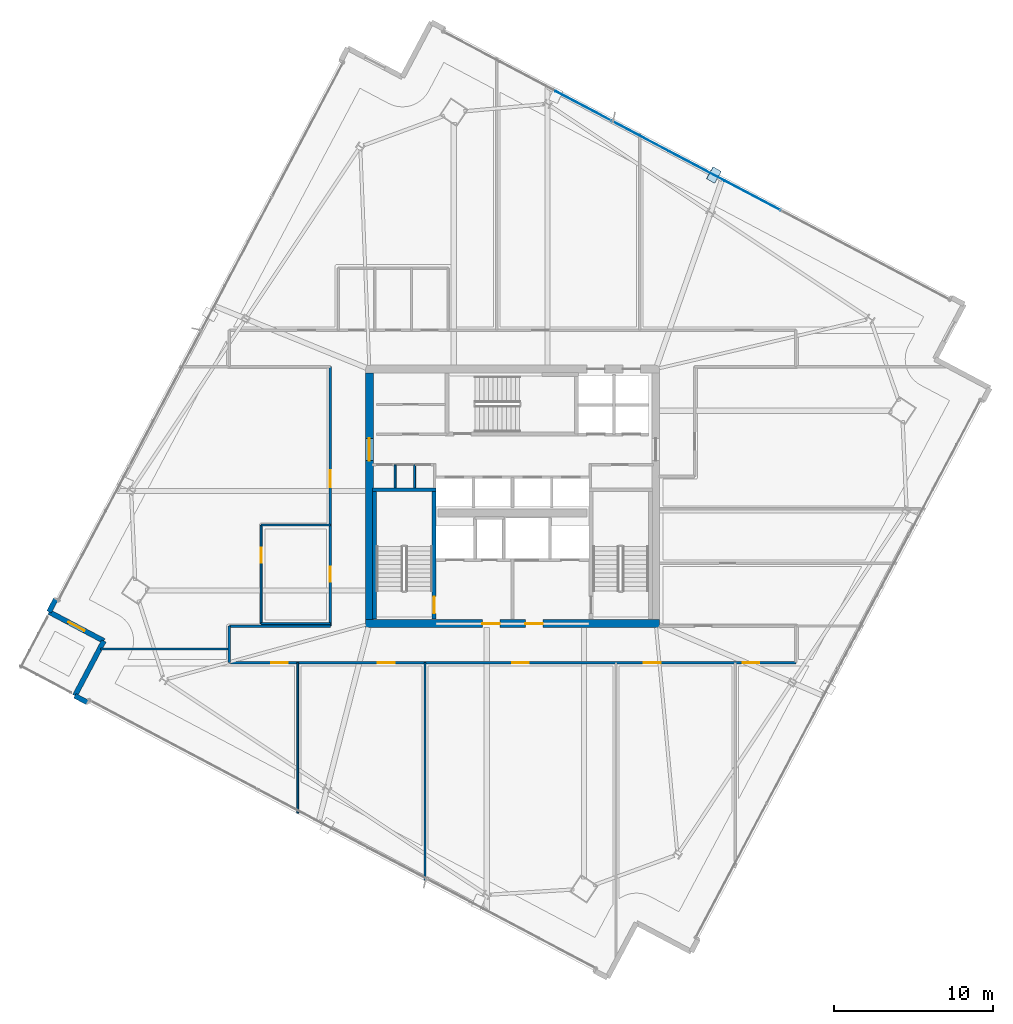
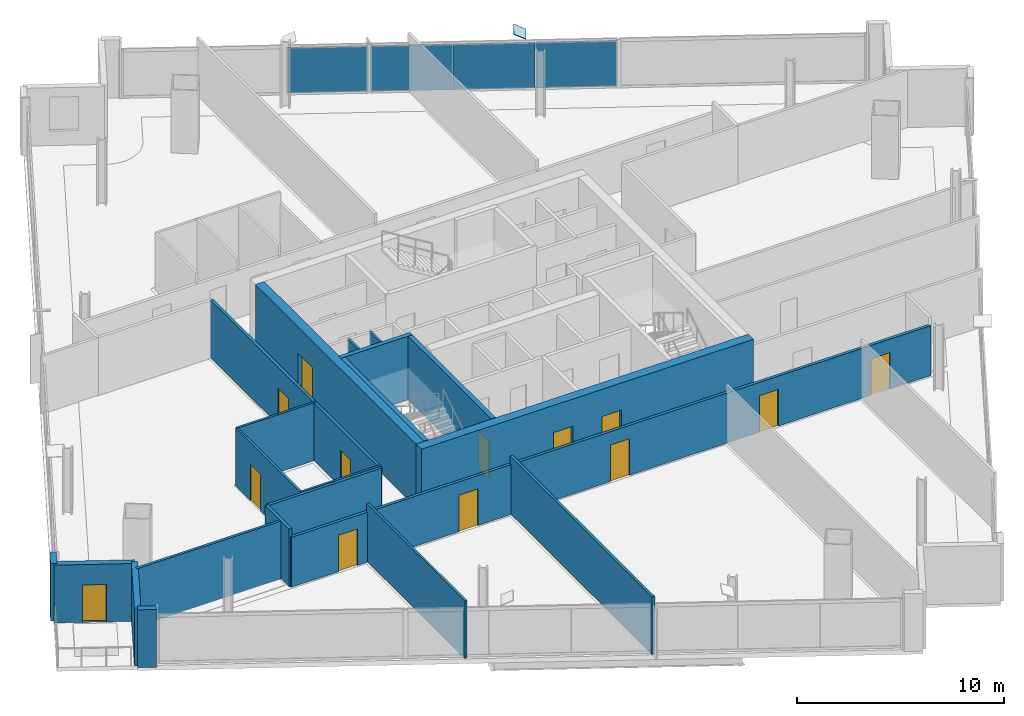
# One storey, part 20 of 28: 21 walls, 13 doors, 5 plates, 13 openings, 1 element without a shape of its own.
"""IFC4 building model written with IfcOpenShell, lengths in metres."""

from ifc_helpers import new_model, si_unit, direction, frame, frame_2d, origin, origin_2d, place, context, subcontext, project, spatial, rectangle, extrude, source, transform, mapped, material, layer, layer_set, type_object, element, fill, aggregate, save


model = new_model("IFC4")

# Units and contexts
model_context = context("Model", 3, precision=1e-05, world=origin(), true_north=direction((0.0, 1.0)))
body_context = subcontext(model_context, "Body", "Model", "MODEL_VIEW")
ifc_project = project(units=[si_unit("LENGTHUNIT", "METRE"), si_unit("AREAUNIT", "SQUARE_METRE"), si_unit("VOLUMEUNIT", "CUBIC_METRE"), si_unit("PLANEANGLEUNIT", "RADIAN"), si_unit("MASSUNIT", "GRAM", prefix="KILO")], contexts=[model_context])

# Site, building, storey
site_placement = place(None, origin())
site = spatial("IfcSite", under=ifc_project, at=site_placement, CompositionType="ELEMENT")
building_placement = place(site_placement, origin())
building = spatial("IfcBuilding", under=site, at=building_placement, Name="Haldenkirk Collegiate Tower", CompositionType="ELEMENT")
storey_placement = place(building_placement, frame((0.0, 0.0, 235.949951171875)))
storey = spatial("IfcBuildingStorey", under=building, at=storey_placement, Name="L59", CompositionType="ELEMENT", Elevation=235.949951171875)

# Plate
ifc_material_1 = material(Name="Steel ASTM A572 Grade 50", Category="steel")
ifc_layer_1 = layer(ifc_material_1, 0.034912109375)
ifc_layer_set_1 = layer_set([ifc_layer_1], Name="Steel ASTM A572 Grade 50")
plate_type_1 = type_object("IfcPlateType", Name="PLT-CAP-EXT-760X600", PredefinedType="USERDEFINED", material=ifc_layer_set_1)
shared_shape_1 = source(origin(), body_context, "Body", "SweptSolid", [
    extrude(rectangle(XDim=0.860107421875, YDim=0.659912109375, at=origin_2d()), origin(), (0.0, 0.0, 1.0), 0.034912109375),
])
plate_1_placement = place(storey_placement, frame((48.642333984375, 46.201904296875, 3.38720703125), z_axis=(0.396589053561, -0.222587030061, 0.890602120278), x_axis=(0.489434998126, 0.872039782699, 2.05074e-07)))
element("IfcPlate", 1, at=plate_1_placement, inside=storey, type_object=plate_type_1, Name="Perimeter Mega Brace Z4 L57-L59 EL end cap plate 2", ObjectType="END CAP PLATE", PredefinedType="USERDEFINED", context=body_context, shape_type="MappedRepresentation", body=[
    mapped(shared_shape_1, transform((0.0, 0.0, 0.0), x_axis=(1.0, 0.0, 0.0), y_axis=(0.0, 1.0, 0.0), z_axis=(0.0, 0.0, 1.0), scale=1.0)),
])

# Curtain wall, plates
ifc_material_2 = material(Name="Anodised architectural bronze aluminium", Category="aluminium")
curtain_wall_type = type_object("IfcCurtainWallType", Name="CW-SYS1B-CONVEX-HI", PredefinedType="USERDEFINED", material=ifc_material_2)
curtain_wall_placement = place(storey_placement, origin())
curtain_wall = element("IfcCurtainWall", 2, at=curtain_wall_placement, inside=storey, type_object=curtain_wall_type, Name="L59 Upper tower high-wind convex bronze unitised curtain wall", ObjectType="UNITISED CURTAIN WALL", PredefinedType="USERDEFINED")
ifc_material_3 = material(Name="Bronze-anodised insulated aluminium spandrel panel", Category="aluminium")
ifc_layer_2 = layer(ifc_material_3, 0.048095703125)
ifc_layer_set_2 = layer_set([ifc_layer_2], Name="Bronze-anodised insulated aluminium spandrel panel")
plate_type_2 = type_object("IfcPlateType", Name="CW-SPD-1B", PredefinedType="CURTAIN_PANEL", material=ifc_layer_set_2)
shared_shape_2 = source(origin(), body_context, "Body", "SweptSolid", [
    extrude(rectangle(XDim=3.953369140625, YDim=0.048095703125, at=origin_2d()), origin(), (0.0, 0.0, 1.0), 2.68798828125),
])
plate_2_placement = place(storey_placement, frame((40.455322265625, 50.537353515625, 0.0849609375), z_axis=(0.0, 0.0, 1.0), x_axis=(0.883765597013, -0.46792987673, 0.0)))
plate_2 = element("IfcPlate", 3, at=plate_2_placement, type_object=plate_type_2, Name="CW-1B spandrel panel 1.1c", PredefinedType="CURTAIN_PANEL", context=body_context, shape_type="MappedRepresentation", body=[
    mapped(shared_shape_2, transform((0.0, 0.0, 0.0), x_axis=(1.0, 0.0, 0.0), y_axis=(0.0, 1.0, 0.0), z_axis=(0.0, 0.0, 1.0), scale=1.0)),
])
ifc_material_4 = material(Name="Low-E argon triple insulating glass", Category="glass")
ifc_layer_3 = layer(ifc_material_4, 0.048095703125)
ifc_layer_set_3 = layer_set([ifc_layer_3], Name="Low-E argon triple insulating glass")
plate_type_3 = type_object("IfcPlateType", Name="CW-PNL-1B", PredefinedType="CURTAIN_PANEL", material=ifc_layer_set_3)
shared_shape_3 = source(origin(), body_context, "Body", "SweptSolid", [
    extrude(rectangle(XDim=3.967529296875, YDim=0.048095703125, at=origin_2d()), origin(), (0.0, 0.0, 1.0), 2.68798828125),
])
plate_3_placement = place(storey_placement, frame((44.030517578125, 48.644287109375, 0.0849609375), z_axis=(0.0, 0.0, 1.0), x_axis=(0.883765597013, -0.46792987673, 0.0)))
plate_3 = element("IfcPlate", 4, at=plate_3_placement, type_object=plate_type_3, Name="CW-1B panel 2.1a", PredefinedType="CURTAIN_PANEL", context=body_context, shape_type="MappedRepresentation", body=[
    mapped(shared_shape_3, transform((0.0, 0.0, 0.0), x_axis=(1.0, 0.0, 0.0), y_axis=(0.0, 1.0, 0.0), z_axis=(0.0, 0.0, 1.0), scale=1.0)),
])
plate_4_placement = place(storey_placement, frame((51.076416015625, 44.913818359375, 0.0849609375), z_axis=(0.0, 0.0, 1.0), x_axis=(0.883765597013, -0.46792987673, 0.0)))
plate_4 = element("IfcPlate", 5, at=plate_4_placement, type_object=plate_type_3, Name="CW-1B panel 2.1c", PredefinedType="CURTAIN_PANEL", context=body_context, shape_type="MappedRepresentation", body=[
    mapped(shared_shape_3, transform((0.0, 0.0, 0.0), x_axis=(1.0, 0.0, 0.0), y_axis=(0.0, 1.0, 0.0), z_axis=(0.0, 0.0, 1.0), scale=1.0)),
])
shared_shape_4 = source(origin(), body_context, "Body", "SweptSolid", [
    extrude(rectangle(XDim=3.955078125, YDim=0.048095703125, at=origin_2d()), origin(), (0.0, 0.0, 1.0), 2.68798828125),
])
plate_5_placement = place(storey_placement, frame((47.5537109375, 46.779052734375, 0.0849609375), z_axis=(0.0, 0.0, 1.0), x_axis=(0.883765597013, -0.46792987673, 0.0)))
plate_5 = element("IfcPlate", 6, at=plate_5_placement, type_object=plate_type_2, Name="CW-1B spandrel panel 2.1b", PredefinedType="CURTAIN_PANEL", context=body_context, shape_type="MappedRepresentation", body=[
    mapped(shared_shape_4, transform((0.0, 0.0, 0.0), x_axis=(1.0, 0.0, 0.0), y_axis=(0.0, 1.0, 0.0), z_axis=(0.0, 0.0, 1.0), scale=1.0)),
])
aggregate(curtain_wall, [plate_2, plate_3, plate_5, plate_4])

# Wall, openings, doors
ifc_material_5 = material(Name="Concrete f'c 55 MPa", Category="concrete")
ifc_layer_4 = layer(ifc_material_5, 0.5)
ifc_layer_set_4 = layer_set([ifc_layer_4], Name="Concrete f'c 55 MPa")
wall_type_1 = type_object("IfcWallType", Name="WL-CORE-500", PredefinedType="SHEAR", material=ifc_layer_set_4)
wall_1_placement = place(storey_placement, frame((26.75, 18.0, 0.0), z_axis=(0.0, 0.0, 1.0), x_axis=(1.0, 0.0, 0.0)))
wall_1 = element("IfcWall", 7, at=wall_1_placement, inside=storey, type_object=wall_type_1, Name="L59 central core shear wall S", PredefinedType="SHEAR", context=body_context, shape_type="SweptSolid", body=[
    extrude(rectangle(XDim=18.5, YDim=0.5, at=frame_2d((9.25, 0.0))), origin(), (0.0, 0.0, 1.0), 3.75),
])
opening_1_placement = place(wall_1_placement, frame((7.35009765625, 0.0, 0.0)))
opening_1 = element("IfcOpeningElement", 8, at=opening_1_placement, cuts=wall_1, Name="Opening D-02", PredefinedType="OPENING", context=body_context, shape_type="SweptSolid", body=[
    extrude(rectangle(XDim=1.10009765625, YDim=2.14990234375, at=frame_2d((0.550048828125, 1.074951171875))), frame((0.0, 0.260009765625, 0.0), z_axis=(0.0, -1.0, 0.0), x_axis=(1.0, 0.0, 0.0)), (0.0, 0.0, 1.0), 0.52001953125),
])
opening_2_placement = place(wall_1_placement, frame((10.050048828125, 0.0, 0.0)))
opening_2 = element("IfcOpeningElement", 9, at=opening_2_placement, cuts=wall_1, Name="Opening D-02", PredefinedType="OPENING", context=body_context, shape_type="SweptSolid", body=[
    extrude(rectangle(XDim=1.10009765625, YDim=2.14990234375, at=frame_2d((0.550048828125, 1.074951171875))), frame((0.0, 0.260009765625, 0.0), z_axis=(0.0, -1.0, 0.0), x_axis=(1.0, 0.0, 0.0)), (0.0, 0.0, 1.0), 0.52001953125),
])
ifc_material_6 = material(Name="Galvanized fire-rated hollow steel door", Category="steel")
ifc_layer_5 = layer(ifc_material_6, 0.06005859375)
ifc_layer_set_5 = layer_set([ifc_layer_5], Name="Galvanized fire-rated hollow steel door")
door_type_1 = type_object("IfcDoorType", Name="DR-STAIR-FD90-1100", OperationType="NOTDEFINED", PredefinedType="DOOR", material=ifc_layer_set_5)
door_1_placement = place(opening_1_placement, origin())
door_1 = element("IfcDoor", 10, at=door_1_placement, inside=storey, type_object=door_type_1, Name="L59 Firefighting Lobby 1 door", OperationType="SINGLE_SWING_LEFT", OverallHeight=2.14990234375, OverallWidth=1.10009765625, PredefinedType="DOOR", context=body_context, shape_type="SweptSolid", body=[
    extrude(rectangle(XDim=1.10009765625, YDim=2.14990234375, at=frame_2d((0.550048828125, 1.074951171875))), frame((0.0, 0.02490234375, 0.0), z_axis=(0.0, -1.0, 0.0), x_axis=(1.0, 0.0, 0.0)), (0.0, 0.0, 1.0), 0.050048828125),
])
fill(opening_1, door_1)
door_2_placement = place(opening_2_placement, origin())
door_2 = element("IfcDoor", 11, at=door_2_placement, inside=storey, type_object=door_type_1, Name="L59 Firefighting Lobby 2 door", OperationType="SINGLE_SWING_RIGHT", OverallHeight=2.14990234375, OverallWidth=1.10009765625, PredefinedType="DOOR", context=body_context, shape_type="SweptSolid", body=[
    extrude(rectangle(XDim=1.10009765625, YDim=2.14990234375, at=frame_2d((0.550048828125, 1.074951171875))), frame((0.0, 0.02490234375, 0.0), z_axis=(0.0, -1.0, 0.0), x_axis=(1.0, 0.0, 0.0)), (0.0, 0.0, 1.0), 0.050048828125),
])
fill(opening_2, door_2)

# Wall, opening, door
wall_2_placement = place(storey_placement, frame((27.0, 18.25, 0.0), z_axis=(0.0, 0.0, 1.0), x_axis=(0.0, 1.0, 0.0)))
wall_2 = element("IfcWall", 12, at=wall_2_placement, inside=storey, type_object=wall_type_1, Name="L59 central core shear wall W", PredefinedType="SHEAR", context=body_context, shape_type="SweptSolid", body=[
    extrude(rectangle(XDim=15.5, YDim=0.5, at=frame_2d((7.75, 0.0))), origin(), (0.0, 0.0, 1.0), 3.75),
])
opening_3_placement = place(wall_2_placement, frame((9.989990234375, 0.0, 0.0)))
opening_3 = element("IfcOpeningElement", 13, at=opening_3_placement, cuts=wall_2, Name="Opening D-03", PredefinedType="OPENING", context=body_context, shape_type="SweptSolid", body=[
    extrude(rectangle(XDim=1.39990234375, YDim=2.199951171875, at=frame_2d((0.699951171875, 1.10009765625))), frame((0.0, 0.260009765625, 0.0), z_axis=(0.0, -1.0, 0.0), x_axis=(1.0, 0.0, 0.0)), (0.0, 0.0, 1.0), 0.52001953125),
])
ifc_layer_6 = layer(ifc_material_6, 0.06005859375)
ifc_layer_set_6 = layer_set([ifc_layer_6], Name="Galvanized fire-rated hollow steel door")
door_type_2 = type_object("IfcDoorType", Name="DR-LOBBY-FD90-1400", OperationType="NOTDEFINED", PredefinedType="DOOR", material=ifc_layer_set_6)
door_3_placement = place(opening_3_placement, origin())
door_3 = element("IfcDoor", 14, at=door_3_placement, inside=storey, type_object=door_type_2, Name="L59 west lift lobby portal", OperationType="DOUBLE_DOOR_SINGLE_SWING", OverallHeight=2.199951171875, OverallWidth=1.39990234375, PredefinedType="DOOR", context=body_context, shape_type="SweptSolid", body=[
    extrude(rectangle(XDim=1.39990234375, YDim=2.199951171875, at=frame_2d((0.699951171875, 1.10009765625))), frame((0.0, 0.02490234375, 0.0), z_axis=(0.0, -1.0, 0.0), x_axis=(1.0, 0.0, 0.0)), (0.0, 0.0, 1.0), 0.050048828125),
])
fill(opening_3, door_3)

# Wall
ifc_material_7 = material(Name="Precast concrete f'c 40 MPa", Category="concrete")
ifc_layer_7 = layer(ifc_material_7, 0.320068359375)
ifc_layer_set_7 = layer_set([ifc_layer_7], Name="Precast concrete f'c 40 MPa")
wall_type_2 = type_object("IfcWallType", Name="WL-EXT-TWR-320", PredefinedType="STANDARD", material=ifc_layer_set_7)
wall_3_placement = place(storey_placement, frame((6.86572265625, 18.73876953125, 0.0), z_axis=(0.0, 0.0, 1.0), x_axis=(0.467925110021, 0.883768120839, 0.0)))
element("IfcWall", 15, at=wall_3_placement, inside=storey, type_object=wall_type_2, Name="L59 precast corner pier NL", PredefinedType="STANDARD", context=body_context, shape_type="SweptSolid", body=[
    extrude(rectangle(XDim=0.89990234375, YDim=0.320068359375, at=frame_2d((0.449951171875, 0.0))), origin(), (0.0, 0.0, 1.0), 3.400146484375),
])

# Wall, opening, door
wall_4_placement = place(storey_placement, frame((10.3125, 16.913818359375, 0.0), z_axis=(0.0, 0.0, 1.0), x_axis=(-0.883768120839, 0.467925110021, 0.0)))
wall_4 = element("IfcWall", 16, at=wall_4_placement, inside=storey, type_object=wall_type_2, Name="L59 bronze precast notch wall 08", PredefinedType="STANDARD", context=body_context, shape_type="SweptSolid", body=[
    extrude(rectangle(XDim=3.900146484375, YDim=0.320068359375, at=frame_2d((1.9501953125, 0.0))), origin(), (0.0, 0.0, 1.0), 3.400146484375),
])
opening_4_placement = place(wall_4_placement, frame((1.375, 0.0, 0.0)))
opening_4 = element("IfcOpeningElement", 17, at=opening_4_placement, cuts=wall_4, Name="Opening D-ST11", PredefinedType="OPENING", context=body_context, shape_type="SweptSolid", body=[
    extrude(rectangle(XDim=1.14990234375, YDim=2.199951171875, at=frame_2d((0.574951171875, 1.10009765625))), frame((0.0, 0.169921875, 0.0), z_axis=(0.0, -1.0, 0.0), x_axis=(1.0, 0.0, 0.0)), (0.0, 0.0, 1.0), 0.340087890625),
])
ifc_layer_8 = layer(ifc_material_2, 0.080078125)
ifc_layer_set_8 = layer_set([ifc_layer_8], Name="Anodised architectural bronze aluminium")
door_type_3 = type_object("IfcDoorType", Name="DR-EXT-STER-1150", OperationType="NOTDEFINED", PredefinedType="DOOR", material=ifc_layer_set_8)
door_4_placement = place(opening_4_placement, origin())
door_4 = element("IfcDoor", 18, at=door_4_placement, inside=storey, type_object=door_type_3, Name="L59 spiralling terrace door", OperationType="SINGLE_SWING_RIGHT", OverallHeight=2.199951171875, OverallWidth=1.14990234375, PredefinedType="DOOR", context=body_context, shape_type="SweptSolid", body=[
    extrude(rectangle(XDim=1.14990234375, YDim=2.199951171875, at=frame_2d((0.574951171875, 1.10009765625))), frame((0.0, 0.02490234375, 0.0), z_axis=(0.0, -1.0, 0.0), x_axis=(1.0, 0.0, 0.0)), (0.0, 0.0, 1.0), 0.050048828125),
])
fill(opening_4, door_4)

# Walls
wall_5_placement = place(storey_placement, frame((8.487548828125, 13.467041015625, 0.0), z_axis=(0.0, 0.0, 1.0), x_axis=(0.467925110021, 0.883768120839, 0.0)))
element("IfcWall", 19, at=wall_5_placement, inside=storey, type_object=wall_type_2, Name="L59 bronze precast notch wall 09", PredefinedType="STANDARD", context=body_context, shape_type="SweptSolid", body=[
    extrude(rectangle(XDim=3.900146484375, YDim=0.320068359375, at=frame_2d((1.9501953125, 0.0))), origin(), (0.0, 0.0, 1.0), 3.400146484375),
])
wall_6_placement = place(storey_placement, frame((9.282958984375, 13.0458984375, 0.0), z_axis=(0.0, 0.0, 1.0), x_axis=(-0.883768120839, 0.467925110021, 0.0)))
element("IfcWall", 20, at=wall_6_placement, inside=storey, type_object=wall_type_2, Name="L59 precast corner pier WR", PredefinedType="STANDARD", context=body_context, shape_type="SweptSolid", body=[
    extrude(rectangle(XDim=0.89990234375, YDim=0.320068359375, at=frame_2d((0.449951171875, 0.0))), origin(), (0.0, 0.0, 1.0), 3.400146484375),
])

# Wall, openings, doors
ifc_material_8 = material(Name="Acoustic fire-rated gypsum partition", Category="concrete")
ifc_layer_9 = layer(ifc_material_8, 0.159912109375)
ifc_layer_set_9 = layer_set([ifc_layer_9], Name="Acoustic fire-rated gypsum partition")
wall_type_3 = type_object("IfcWallType", Name="WL-INT-CORR-160", PredefinedType="PARTITIONING", material=ifc_layer_set_9)
wall_7_placement = place(storey_placement, frame((18.199951171875, 15.550048828125, 0.0), z_axis=(0.0, 0.0, 1.0), x_axis=(1.0, 0.0, 0.0)))
wall_7 = element("IfcWall", 21, at=wall_7_placement, inside=storey, type_object=wall_type_3, Name="L59 interior partition IW-L59-CS", PredefinedType="PARTITIONING", context=body_context, shape_type="SweptSolid", body=[
    extrude(rectangle(XDim=35.60009765625, YDim=0.159912109375, at=frame_2d((17.800048828125, 0.0))), origin(), (0.0, 0.0, 1.0), 2.93798828125),
])
opening_5_placement = place(wall_7_placement, frame((2.625, 0.0, 0.0)))
opening_5 = element("IfcOpeningElement", 22, at=opening_5_placement, cuts=wall_7, Name="Opening D-09", PredefinedType="OPENING", context=body_context, shape_type="SweptSolid", body=[
    extrude(rectangle(XDim=1.050048828125, YDim=2.14990234375, at=frame_2d((0.52490234375, 1.074951171875))), frame((0.0, 0.08984375, 0.0), z_axis=(0.0, -1.0, 0.0), x_axis=(1.0, 0.0, 0.0)), (0.0, 0.0, 1.0), 0.179931640625),
])
opening_6_placement = place(wall_7_placement, frame((9.3349609375, 0.0, 0.0)))
opening_6 = element("IfcOpeningElement", 23, at=opening_6_placement, cuts=wall_7, Name="Opening D-09", PredefinedType="OPENING", context=body_context, shape_type="SweptSolid", body=[
    extrude(rectangle(XDim=1.050048828125, YDim=2.14990234375, at=frame_2d((0.52490234375, 1.074951171875))), frame((0.0, 0.08984375, 0.0), z_axis=(0.0, -1.0, 0.0), x_axis=(1.0, 0.0, 0.0)), (0.0, 0.0, 1.0), 0.179931640625),
])
opening_7_placement = place(wall_7_placement, frame((17.77490234375, 0.0, 0.0)))
opening_7 = element("IfcOpeningElement", 24, at=opening_7_placement, cuts=wall_7, Name="Opening D-09", PredefinedType="OPENING", context=body_context, shape_type="SweptSolid", body=[
    extrude(rectangle(XDim=1.050048828125, YDim=2.14990234375, at=frame_2d((0.52490234375, 1.074951171875))), frame((0.0, 0.08984375, 0.0), z_axis=(0.0, -1.0, 0.0), x_axis=(1.0, 0.0, 0.0)), (0.0, 0.0, 1.0), 0.179931640625),
])
opening_8_placement = place(wall_7_placement, frame((26.054931640625, 0.0, 0.0)))
opening_8 = element("IfcOpeningElement", 25, at=opening_8_placement, cuts=wall_7, Name="Opening D-09", PredefinedType="OPENING", context=body_context, shape_type="SweptSolid", body=[
    extrude(rectangle(XDim=1.050048828125, YDim=2.14990234375, at=frame_2d((0.52490234375, 1.074951171875))), frame((0.0, 0.08984375, 0.0), z_axis=(0.0, -1.0, 0.0), x_axis=(1.0, 0.0, 0.0)), (0.0, 0.0, 1.0), 0.179931640625),
])
opening_9_placement = place(wall_7_placement, frame((32.264892578125, 0.0, 0.0)))
opening_9 = element("IfcOpeningElement", 26, at=opening_9_placement, cuts=wall_7, Name="Opening D-09", PredefinedType="OPENING", context=body_context, shape_type="SweptSolid", body=[
    extrude(rectangle(XDim=1.050048828125, YDim=2.14990234375, at=frame_2d((0.52490234375, 1.074951171875))), frame((0.0, 0.08984375, 0.0), z_axis=(0.0, -1.0, 0.0), x_axis=(1.0, 0.0, 0.0)), (0.0, 0.0, 1.0), 0.179931640625),
])
ifc_material_9 = material(Name="Solid-core architectural oak fire door", Category="wood")
ifc_layer_10 = layer(ifc_material_9, 0.06005859375)
ifc_layer_set_10 = layer_set([ifc_layer_10], Name="Solid-core architectural oak fire door")
door_type_4 = type_object("IfcDoorType", Name="DR-INT-FD60-1050", OperationType="NOTDEFINED", PredefinedType="DOOR", material=ifc_layer_set_10)
door_5_placement = place(opening_5_placement, origin())
door_5 = element("IfcDoor", 27, at=door_5_placement, inside=storey, type_object=door_type_4, Name="L59 Student Wellness Clinic 1 door", OperationType="SINGLE_SWING_LEFT", OverallHeight=2.14990234375, OverallWidth=1.050048828125, PredefinedType="DOOR", context=body_context, shape_type="SweptSolid", body=[
    extrude(rectangle(XDim=1.050048828125, YDim=2.14990234375, at=frame_2d((0.52490234375, 1.074951171875))), frame((0.0, 0.02490234375, 0.0), z_axis=(0.0, -1.0, 0.0), x_axis=(1.0, 0.0, 0.0)), (0.0, 0.0, 1.0), 0.050048828125),
])
fill(opening_5, door_5)
door_6_placement = place(opening_6_placement, origin())
door_6 = element("IfcDoor", 28, at=door_6_placement, inside=storey, type_object=door_type_4, Name="L59 Ergonomics Clinic 2 door", OperationType="SINGLE_SWING_RIGHT", OverallHeight=2.14990234375, OverallWidth=1.050048828125, PredefinedType="DOOR", context=body_context, shape_type="SweptSolid", body=[
    extrude(rectangle(XDim=1.050048828125, YDim=2.14990234375, at=frame_2d((0.52490234375, 1.074951171875))), frame((0.0, 0.02490234375, 0.0), z_axis=(0.0, -1.0, 0.0), x_axis=(1.0, 0.0, 0.0)), (0.0, 0.0, 1.0), 0.050048828125),
])
fill(opening_6, door_6)
door_7_placement = place(opening_7_placement, origin())
door_7 = element("IfcDoor", 29, at=door_7_placement, inside=storey, type_object=door_type_4, Name="L59 Collegiate Commons Lounge 3 door", OperationType="SINGLE_SWING_LEFT", OverallHeight=2.14990234375, OverallWidth=1.050048828125, PredefinedType="DOOR", context=body_context, shape_type="SweptSolid", body=[
    extrude(rectangle(XDim=1.050048828125, YDim=2.14990234375, at=frame_2d((0.52490234375, 1.074951171875))), frame((0.0, 0.02490234375, 0.0), z_axis=(0.0, -1.0, 0.0), x_axis=(1.0, 0.0, 0.0)), (0.0, 0.0, 1.0), 0.050048828125),
])
fill(opening_7, door_7)
door_8_placement = place(opening_8_placement, origin())
door_8 = element("IfcDoor", 30, at=door_8_placement, inside=storey, type_object=door_type_4, Name="L59 Graduate Study Lounge 4 door", OperationType="SINGLE_SWING_RIGHT", OverallHeight=2.14990234375, OverallWidth=1.050048828125, PredefinedType="DOOR", context=body_context, shape_type="SweptSolid", body=[
    extrude(rectangle(XDim=1.050048828125, YDim=2.14990234375, at=frame_2d((0.52490234375, 1.074951171875))), frame((0.0, 0.02490234375, 0.0), z_axis=(0.0, -1.0, 0.0), x_axis=(1.0, 0.0, 0.0)), (0.0, 0.0, 1.0), 0.050048828125),
])
fill(opening_8, door_8)
door_9_placement = place(opening_9_placement, origin())
door_9 = element("IfcDoor", 31, at=door_9_placement, inside=storey, type_object=door_type_4, Name="L59 Special Collections Archive 5 door", OperationType="SINGLE_SWING_LEFT", OverallHeight=2.14990234375, OverallWidth=1.050048828125, PredefinedType="DOOR", context=body_context, shape_type="SweptSolid", body=[
    extrude(rectangle(XDim=1.050048828125, YDim=2.14990234375, at=frame_2d((0.52490234375, 1.074951171875))), frame((0.0, 0.02490234375, 0.0), z_axis=(0.0, -1.0, 0.0), x_axis=(1.0, 0.0, 0.0)), (0.0, 0.0, 1.0), 0.050048828125),
])
fill(opening_9, door_9)

# Wall
wall_8_placement = place(storey_placement, frame((18.199951171875, 17.85009765625, 0.0), z_axis=(0.0, 0.0, 1.0), x_axis=(1.0, 0.0, 0.0)))
element("IfcWall", 32, at=wall_8_placement, inside=storey, type_object=wall_type_3, Name="L59 interior partition IW-L59-CSW", PredefinedType="PARTITIONING", context=body_context, shape_type="SweptSolid", body=[
    extrude(rectangle(XDim=6.35009765625, YDim=0.159912109375, at=frame_2d((3.175048828125, 0.0))), origin(), (0.0, 0.0, 1.0), 3.400146484375),
])

# Wall, openings, doors
wall_9_placement = place(storey_placement, frame((24.550048828125, 17.85009765625, 0.0), z_axis=(0.0, 0.0, 1.0), x_axis=(0.0, 1.0, 0.0)))
wall_9 = element("IfcWall", 33, at=wall_9_placement, inside=storey, type_object=wall_type_3, Name="L59 interior partition IW-L59-CW", PredefinedType="PARTITIONING", context=body_context, shape_type="SweptSolid", body=[
    extrude(rectangle(XDim=16.2998046875, YDim=0.159912109375, at=frame_2d((8.14990234375, 0.0))), origin(), (0.0, 0.0, 1.0), 3.400146484375),
])
opening_10_placement = place(wall_9_placement, frame((2.77490234375, 0.0, 0.0)))
opening_10 = element("IfcOpeningElement", 34, at=opening_10_placement, cuts=wall_9, Name="Opening D-10", PredefinedType="OPENING", context=body_context, shape_type="SweptSolid", body=[
    extrude(rectangle(XDim=0.949951171875, YDim=2.14990234375, at=frame_2d((0.47509765625, 1.074951171875))), frame((0.0, 0.08984375, 0.0), z_axis=(0.0, -1.0, 0.0), x_axis=(1.0, 0.0, 0.0)), (0.0, 0.0, 1.0), 0.179931640625),
])
opening_11_placement = place(wall_9_placement, frame((8.72900390625, 0.0, 0.0)))
opening_11 = element("IfcOpeningElement", 35, at=opening_11_placement, cuts=wall_9, Name="Opening D-09", PredefinedType="OPENING", context=body_context, shape_type="SweptSolid", body=[
    extrude(rectangle(XDim=1.050048828125, YDim=2.14990234375, at=frame_2d((0.52490234375, 1.074951171875))), frame((0.0, 0.08984375, 0.0), z_axis=(0.0, -1.0, 0.0), x_axis=(1.0, 0.0, 0.0)), (0.0, 0.0, 1.0), 0.179931640625),
])
door_10_placement = place(opening_11_placement, origin())
door_10 = element("IfcDoor", 36, at=door_10_placement, inside=storey, type_object=door_type_4, Name="L59 Collegiate Commons Lounge 9 door", OperationType="SINGLE_SWING_LEFT", OverallHeight=2.14990234375, OverallWidth=1.050048828125, PredefinedType="DOOR", context=body_context, shape_type="SweptSolid", body=[
    extrude(rectangle(XDim=1.050048828125, YDim=2.14990234375, at=frame_2d((0.52490234375, 1.074951171875))), frame((0.0, 0.02490234375, 0.0), z_axis=(0.0, -1.0, 0.0), x_axis=(1.0, 0.0, 0.0)), (0.0, 0.0, 1.0), 0.050048828125),
])
fill(opening_11, door_10)
ifc_layer_11 = layer(ifc_material_9, 0.06005859375)
ifc_layer_set_11 = layer_set([ifc_layer_11], Name="Solid-core architectural oak fire door")
door_type_5 = type_object("IfcDoorType", Name="DR-INT-FD60-950", OperationType="NOTDEFINED", PredefinedType="DOOR", material=ifc_layer_set_11)
door_11_placement = place(opening_10_placement, origin())
door_11 = element("IfcDoor", 37, at=door_11_placement, inside=storey, type_object=door_type_5, Name="L59 West Faculty Tutorial Pod corridor door", OperationType="SINGLE_SWING_LEFT", OverallHeight=2.14990234375, OverallWidth=0.949951171875, PredefinedType="DOOR", context=body_context, shape_type="SweptSolid", body=[
    extrude(rectangle(XDim=0.949951171875, YDim=2.14990234375, at=frame_2d((0.47509765625, 1.074951171875))), frame((0.0, 0.02490234375, 0.0), z_axis=(0.0, -1.0, 0.0), x_axis=(1.0, 0.0, 0.0)), (0.0, 0.0, 1.0), 0.050048828125),
])
fill(opening_10, door_11)

# Walls
wall_10_placement = place(storey_placement, frame((18.199951171875, 15.550048828125, 0.0), z_axis=(0.0, 0.0, 1.0), x_axis=(0.0, 1.0, 0.0)))
element("IfcWall", 38, at=wall_10_placement, inside=storey, type_object=wall_type_3, Name="L59 interior partition IW-L59-CSL", PredefinedType="PARTITIONING", context=body_context, shape_type="SweptSolid", body=[
    extrude(rectangle(XDim=2.300048828125, YDim=0.159912109375, at=frame_2d((1.14990234375, 0.0))), origin(), (0.0, 0.0, 1.0), 3.400146484375),
])
ifc_layer_12 = layer(ifc_material_8, 0.139892578125)
ifc_layer_set_12 = layer_set([ifc_layer_12], Name="Acoustic fire-rated gypsum partition")
wall_type_4 = type_object("IfcWallType", Name="WL-INT-DIV-140", PredefinedType="PARTITIONING", material=ifc_layer_set_12)
wall_11_placement = place(storey_placement, frame((10.085693359375, 16.39990234375, 0.0), z_axis=(0.0, 0.0, 1.0), x_axis=(1.0, 0.0, 0.0)))
element("IfcWall", 39, at=wall_11_placement, inside=storey, type_object=wall_type_4, Name="L59 interior partition IW-L59-BWS", PredefinedType="PARTITIONING", context=body_context, shape_type="SweptSolid", body=[
    extrude(rectangle(XDim=8.1142578125, YDim=0.139892578125, at=frame_2d((4.05712890625, 0.0))), origin(), (0.0, 0.0, 1.0), 3.400146484375),
])
wall_12_placement = place(storey_placement, frame((30.5, 1.857421875, 0.0), z_axis=(0.0, 0.0, 1.0), x_axis=(0.0, 1.0, 0.0)))
element("IfcWall", 40, at=wall_12_placement, inside=storey, type_object=wall_type_4, Name="L59 interior partition IW-L59-RS2", PredefinedType="PARTITIONING", context=body_context, shape_type="SweptSolid", body=[
    extrude(rectangle(XDim=13.692626953125, YDim=0.139892578125, at=frame_2d((6.84619140625, 0.0))), origin(), (0.0, 0.0, 1.0), 3.400146484375),
])
ifc_layer_13 = layer(ifc_material_8, 0.1201171875)
ifc_layer_set_13 = layer_set([ifc_layer_13], Name="Acoustic fire-rated gypsum partition")
wall_type_5 = type_object("IfcWallType", Name="WL-INT-WET-120", PredefinedType="PARTITIONING", material=ifc_layer_set_13)
for number, where, z_axis, x_axis, name in (
    (41, (28.6201171875, 26.5400390625, 0.0), (0.0, 0.0, 1.0), (0.0, 1.0, 0.0), "L59 interior partition IW-L59-VCSW-M1"),
    (42, (29.840087890625, 26.5400390625, 0.0), (0.0, 0.0, 1.0), (0.0, 1.0, 0.0), "L59 interior partition IW-L59-VCSW-M2"),
):
    element("IfcWall", number, at=place(storey_placement, frame(where, z_axis=z_axis, x_axis=x_axis)), inside=storey, type_object=wall_type_5, Name=name, PredefinedType="PARTITIONING", context=body_context, shape_type="SweptSolid", body=[
        extrude(rectangle(XDim=1.43994140625, YDim=0.1201171875, at=frame_2d((0.719970703125, 0.0))), origin(), (0.0, 0.0, 1.0), 3.400146484375),
    ])
wall_13_placement = place(storey_placement, frame((22.5, 6.09326171875, 0.0), z_axis=(0.0, 0.0, 1.0), x_axis=(0.0, 1.0, 0.0)))
element("IfcWall", 43, at=wall_13_placement, inside=storey, type_object=wall_type_5, Name="L59 interior partition IW-L59-RS1", PredefinedType="PARTITIONING", context=body_context, shape_type="SweptSolid", body=[
    extrude(rectangle(XDim=9.456787109375, YDim=0.1201171875, at=frame_2d((4.728515625, 0.0))), origin(), (0.0, 0.0, 1.0), 3.400146484375),
])
wall_14_placement = place(storey_placement, frame((20.199951171875, 18.0, 0.0), z_axis=(0.0, 0.0, 1.0), x_axis=(1.0, 0.0, 0.0)))
element("IfcWall", 44, at=wall_14_placement, inside=storey, type_object=wall_type_5, Name="L59 interior partition IW-L59-SUBWS", PredefinedType="PARTITIONING", context=body_context, shape_type="SweptSolid", body=[
    extrude(rectangle(XDim=4.35009765625, YDim=0.1201171875, at=frame_2d((2.175048828125, 0.0))), origin(), (0.0, 0.0, 1.0), 3.400146484375),
])

# Wall, opening, door
wall_15_placement = place(storey_placement, frame((20.199951171875, 18.0, 0.0), z_axis=(0.0, 0.0, 1.0), x_axis=(0.0, 1.0, 0.0)))
wall_15 = element("IfcWall", 45, at=wall_15_placement, inside=storey, type_object=wall_type_5, Name="L59 interior partition IW-L59-SUBW", PredefinedType="PARTITIONING", context=body_context, shape_type="SweptSolid", body=[
    extrude(rectangle(XDim=6.199951171875, YDim=0.1201171875, at=frame_2d((3.10009765625, 0.0))), origin(), (0.0, 0.0, 1.0), 3.400146484375),
])
opening_12_placement = place(wall_15_placement, frame((3.824951171875, 0.0, 0.0)))
opening_12 = element("IfcOpeningElement", 46, at=opening_12_placement, cuts=wall_15, Name="Opening D-12", PredefinedType="OPENING", context=body_context, shape_type="SweptSolid", body=[
    extrude(rectangle(XDim=0.949951171875, YDim=2.14990234375, at=frame_2d((0.47509765625, 1.074951171875))), frame((0.0, 0.070068359375, 0.0), z_axis=(0.0, -1.0, 0.0), x_axis=(1.0, 0.0, 0.0)), (0.0, 0.0, 1.0), 0.14013671875),
])
ifc_layer_14 = layer(ifc_material_9, 0.06005859375)
ifc_layer_set_14 = layer_set([ifc_layer_14], Name="Solid-core architectural oak fire door")
door_type_6 = type_object("IfcDoorType", Name="DR-INT-STD-950", OperationType="NOTDEFINED", PredefinedType="DOOR", material=ifc_layer_set_14)
door_12_placement = place(opening_12_placement, origin())
door_12 = element("IfcDoor", 47, at=door_12_placement, inside=storey, type_object=door_type_6, Name="L59 West Faculty Tutorial Pod suite door", OperationType="SINGLE_SWING_RIGHT", OverallHeight=2.14990234375, OverallWidth=0.949951171875, PredefinedType="DOOR", context=body_context, shape_type="SweptSolid", body=[
    extrude(rectangle(XDim=0.949951171875, YDim=2.14990234375, at=frame_2d((0.47509765625, 1.074951171875))), frame((0.0, 0.02490234375, 0.0), z_axis=(0.0, -1.0, 0.0), x_axis=(1.0, 0.0, 0.0)), (0.0, 0.0, 1.0), 0.050048828125),
])
fill(opening_12, door_12)

# Wall
wall_16_placement = place(storey_placement, frame((20.199951171875, 24.199951171875, 0.0), z_axis=(0.0, 0.0, 1.0), x_axis=(1.0, 0.0, 0.0)))
element("IfcWall", 48, at=wall_16_placement, inside=storey, type_object=wall_type_5, Name="L59 interior partition IW-L59-SUBWN", PredefinedType="PARTITIONING", context=body_context, shape_type="SweptSolid", body=[
    extrude(rectangle(XDim=4.35009765625, YDim=0.1201171875, at=frame_2d((2.175048828125, 0.0))), origin(), (0.0, 0.0, 1.0), 3.400146484375),
])

# Wall, opening, door
ifc_layer_15 = layer(ifc_material_5, 0.239990234375)
ifc_layer_set_15 = layer_set([ifc_layer_15], Name="Concrete f'c 55 MPa")
wall_type_6 = type_object("IfcWallType", Name="WL-SHAFT-240", PredefinedType="SHEAR", material=ifc_layer_set_15)
wall_17_placement = place(storey_placement, frame((31.070068359375, 18.280029296875, 0.0), z_axis=(0.0, 0.0, 1.0), x_axis=(0.0, 1.0, 0.0)))
wall_17 = element("IfcWall", 49, at=wall_17_placement, inside=storey, type_object=wall_type_6, Name="L59 stair shaft shear wall SW-L59-ST1E", PredefinedType="SHEAR", context=body_context, shape_type="SweptSolid", body=[
    extrude(rectangle(XDim=8.260009765625, YDim=0.239990234375, at=frame_2d((4.1298828125, 0.0))), origin(), (0.0, 0.0, 1.0), 3.75),
])
opening_13_placement = place(wall_17_placement, frame((0.364990234375, 0.0, 0.0)))
opening_13 = element("IfcOpeningElement", 50, at=opening_13_placement, cuts=wall_17, Name="Opening D-01", PredefinedType="OPENING", context=body_context, shape_type="SweptSolid", body=[
    extrude(rectangle(XDim=1.050048828125, YDim=2.14990234375, at=frame_2d((0.52490234375, 1.074951171875))), frame((0.0, 0.1298828125, 0.0), z_axis=(0.0, -1.0, 0.0), x_axis=(1.0, 0.0, 0.0)), (0.0, 0.0, 1.0), 0.260009765625),
])
ifc_layer_16 = layer(ifc_material_6, 0.06005859375)
ifc_layer_set_16 = layer_set([ifc_layer_16], Name="Galvanized fire-rated hollow steel door")
door_type_7 = type_object("IfcDoorType", Name="DR-STAIR-FD90-1050", OperationType="NOTDEFINED", PredefinedType="DOOR", material=ifc_layer_set_16)
door_13_placement = place(opening_13_placement, origin())
door_13 = element("IfcDoor", 51, at=door_13_placement, inside=storey, type_object=door_type_7, Name="L59 Stair 1 door", OperationType="SINGLE_SWING_LEFT", OverallHeight=2.14990234375, OverallWidth=1.050048828125, PredefinedType="DOOR", context=body_context, shape_type="SweptSolid", body=[
    extrude(rectangle(XDim=1.050048828125, YDim=2.14990234375, at=frame_2d((0.52490234375, 1.074951171875))), frame((0.0, 0.02490234375, 0.0), z_axis=(0.0, -1.0, 0.0), x_axis=(1.0, 0.0, 0.0)), (0.0, 0.0, 1.0), 0.050048828125),
])
fill(opening_13, door_13)

# Walls
wall_18_placement = place(storey_placement, frame((27.2099609375, 26.419921875, 0.0), z_axis=(0.0, 0.0, 1.0), x_axis=(1.0, 0.0, 0.0)))
element("IfcWall", 52, at=wall_18_placement, inside=storey, type_object=wall_type_6, Name="L59 stair shaft shear wall SW-L59-ST1N", PredefinedType="SHEAR", context=body_context, shape_type="SweptSolid", body=[
    extrude(rectangle(XDim=3.97998046875, YDim=0.239990234375, at=frame_2d((1.989990234375, 0.0))), origin(), (0.0, 0.0, 1.0), 3.75),
])
wall_19_placement = place(storey_placement, frame((27.330078125, 18.280029296875, 0.0), z_axis=(0.0, 0.0, 1.0), x_axis=(0.0, 1.0, 0.0)))
element("IfcWall", 53, at=wall_19_placement, inside=storey, type_object=wall_type_6, Name="L59 stair shaft shear wall SW-L59-ST1W", PredefinedType="SHEAR", context=body_context, shape_type="SweptSolid", body=[
    extrude(rectangle(XDim=8.260009765625, YDim=0.239990234375, at=frame_2d((4.1298828125, 0.0))), origin(), (0.0, 0.0, 1.0), 3.75),
])

save(model, "model.ifc")
